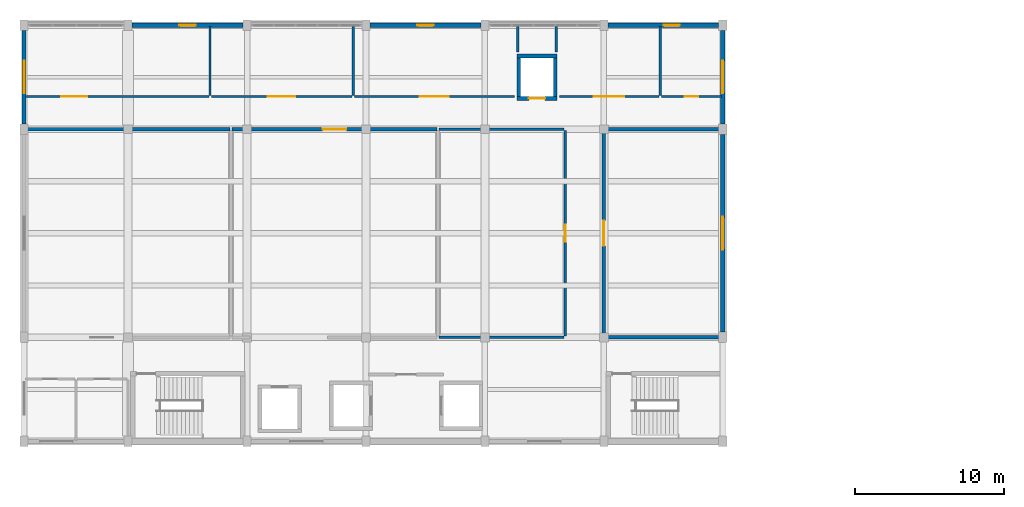
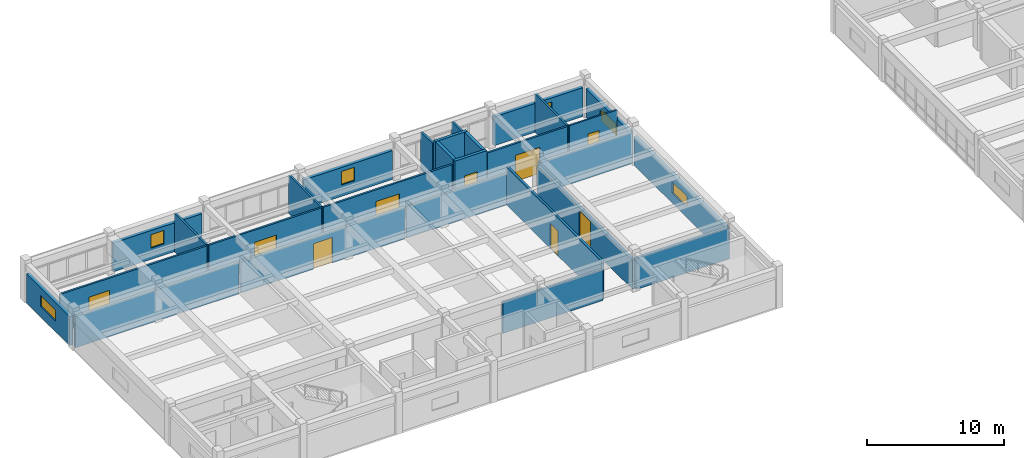
# One storey, part 11 of 17: 28 walls, 9 doors, 6 windows, 15 openings.
"""IFC4 building model written with IfcOpenShell, lengths in metres."""

from ifc_helpers import new_model, si_unit, direction, frame, frame_2d, origin, place, context, subcontext, project, spatial, rectangle, extrude, material, layer, layer_set, type_object, element, fill, save


model = new_model("IFC4")

# Units and contexts
model_context = context("Model", 3, precision=1e-05, world=origin(), true_north=direction((0.0, 1.0)))
body_context = subcontext(model_context, "Body", "Model", "MODEL_VIEW")
ifc_project = project(units=[si_unit("LENGTHUNIT", "METRE"), si_unit("AREAUNIT", "SQUARE_METRE"), si_unit("VOLUMEUNIT", "CUBIC_METRE"), si_unit("PLANEANGLEUNIT", "RADIAN"), si_unit("MASSUNIT", "GRAM", prefix="KILO")], contexts=[model_context])

# Site, building, storey
site_placement = place(None, origin())
site = spatial("IfcSite", under=ifc_project, at=site_placement, CompositionType="ELEMENT")
building_placement = place(site_placement, origin())
building = spatial("IfcBuilding", under=site, at=building_placement, Name="Naurynzar Civic Courthouse", CompositionType="ELEMENT")
storey_placement = place(building_placement, frame((0.0, 0.0, 29.550048828125)))
storey = spatial("IfcBuildingStorey", under=building, at=storey_placement, Name="L08", CompositionType="ELEMENT", Elevation=29.550048828125)

# Wall
ifc_material_1 = material(Name="Acoustic Double-Stud Gypsum Partition")
ifc_layer_1 = layer(ifc_material_1, 0.2099609375)
ifc_layer_set_1 = layer_set([ifc_layer_1], Name="WL-ACOUSTIC-210")
wall_type_1 = type_object("IfcWallType", Name="WL-ACOUSTIC-210", PredefinedType="PARTITIONING", material=ifc_layer_set_1)
wall_1_placement = place(storey_placement, frame((62.080078125, 65.0, 0.0), z_axis=(0.0, 0.0, 1.0), x_axis=(1.0, 0.0, 0.0)))
element("IfcWall", 1, at=wall_1_placement, inside=storey, type_object=wall_type_1, Name="V2 interior partition L08.779", PredefinedType="PARTITIONING", context=body_context, shape_type="SweptSolid", body=[
    extrude(rectangle(XDim=13.760009765625, YDim=0.2099609375, at=frame_2d((6.8798828125, 0.0))), origin(), (0.0, 0.0, 1.0), 2.780029296875),
])

# Wall, opening, door
ifc_material_2 = material(Name="Acoustic Double-Stud Gypsum Partition")
ifc_layer_2 = layer(ifc_material_2, 0.215087890625)
ifc_layer_set_2 = layer_set([ifc_layer_2], Name="WL-ACOUSTIC-215")
wall_type_2 = type_object("IfcWallType", Name="WL-ACOUSTIC-215", PredefinedType="PARTITIONING", material=ifc_layer_set_2)
wall_2_placement = place(storey_placement, frame((76.0, 65.0, 0.0), z_axis=(0.0, 0.0, 1.0), x_axis=(1.0, 0.0, 0.0)))
wall_2 = element("IfcWall", 2, at=wall_2_placement, inside=storey, type_object=wall_type_2, Name="V2 interior partition L08.780", PredefinedType="PARTITIONING", context=body_context, shape_type="SweptSolid", body=[
    extrude(rectangle(XDim=13.760009765625, YDim=0.215087890625, at=frame_2d((6.8798828125, 0.0))), origin(), (0.0, 0.0, 1.0), 2.780029296875),
])
opening_1_placement = place(wall_2_placement, frame((6.080078125, 0.0, 0.0)))
opening_1 = element("IfcOpeningElement", 3, at=opening_1_placement, cuts=wall_2, Name="Opening D-190", PredefinedType="OPENING", context=body_context, shape_type="SweptSolid", body=[
    extrude(rectangle(XDim=1.60009765625, YDim=2.25, at=frame_2d((0.800048828125, 1.125))), frame((0.0, 0.117431640625, 0.0), z_axis=(0.0, -1.0, 0.0), x_axis=(1.0, 0.0, 0.0)), (0.0, 0.0, 1.0), 0.235107421875),
])
ifc_material_3 = material(Name="Acoustic Oak Timber Grade A", Category="wood")
door_type_1 = type_object("IfcDoorType", Name="DR-SUITE-1600x2250", OperationType="DOUBLE_DOOR_SINGLE_SWING", PredefinedType="DOOR", material=ifc_material_3)
door_1_placement = place(opening_1_placement, origin())
door_1 = element("IfcDoor", 4, at=door_1_placement, inside=storey, type_object=door_type_1, Name="Interior door D-190 (Appellate Civil Courtroom 8B)", OperationType="DOUBLE_DOOR_SINGLE_SWING", OverallHeight=2.25, OverallWidth=1.60009765625, PredefinedType="DOOR", context=body_context, shape_type="SweptSolid", body=[
    extrude(rectangle(XDim=1.60009765625, YDim=2.25, at=frame_2d((0.800048828125, 1.125))), frame((0.0, 0.02490234375, 0.0), z_axis=(0.0, -1.0, 0.0), x_axis=(1.0, 0.0, 0.0)), (0.0, 0.0, 1.0), 0.050048828125),
])
fill(opening_1, door_1)

# Walls
ifc_material_4 = material(Name="Acoustic Double-Stud Gypsum Partition")
ifc_layer_3 = layer(ifc_material_4, 0.22998046875)
ifc_layer_set_3 = layer_set([ifc_layer_3], Name="WL-ACOUSTIC-230")
wall_type_3 = type_object("IfcWallType", Name="WL-ACOUSTIC-230", PredefinedType="PARTITIONING", material=ifc_layer_set_3)
for number, where, z_axis, x_axis, name in (
    (5, (101.080078125, 51.0, 0.0), (0.0, 0.0, 1.0), (1.0, 0.0, 0.0), "V2 interior partition L08.776"),
    (6, (101.080078125, 65.0, 0.0), (0.0, 0.0, 1.0), (1.0, 0.0, 0.0), "V2 interior partition L08.782"),
):
    element("IfcWall", number, at=place(storey_placement, frame(where, z_axis=z_axis, x_axis=x_axis)), inside=storey, type_object=wall_type_3, Name=name, PredefinedType="PARTITIONING", context=body_context, shape_type="SweptSolid", body=[
        extrude(rectangle(XDim=7.83984375, YDim=0.22998046875, at=frame_2d((3.919921875, 0.0))), origin(), (0.0, 0.0, 1.0), 2.780029296875),
    ])

# Wall, opening, door
wall_3_placement = place(storey_placement, frame((101.0, 51.080078125, 0.0), z_axis=(0.0, 0.0, 1.0), x_axis=(0.0, 1.0, 0.0)))
wall_3 = element("IfcWall", 7, at=wall_3_placement, inside=storey, type_object=wall_type_3, Name="V2 interior partition L08.798", PredefinedType="PARTITIONING", context=body_context, shape_type="SweptSolid", body=[
    extrude(rectangle(XDim=13.83984375, YDim=0.22998046875, at=frame_2d((6.919921875, 0.0))), origin(), (0.0, 0.0, 1.0), 2.579833984375),
])
opening_2_placement = place(wall_3_placement, frame((6.070068359375, 0.0, 0.0)))
opening_2 = element("IfcOpeningElement", 8, at=opening_2_placement, cuts=wall_3, Name="Opening D-192", PredefinedType="OPENING", context=body_context, shape_type="SweptSolid", body=[
    extrude(rectangle(XDim=1.699951171875, YDim=2.300048828125, at=frame_2d((0.85009765625, 1.14990234375))), frame((0.0, 0.125, 0.0), z_axis=(0.0, -1.0, 0.0), x_axis=(1.0, 0.0, 0.0)), (0.0, 0.0, 1.0), 0.25),
])
ifc_material_5 = material(Name="Acoustic Oak Timber Grade A", Category="wood")
door_type_2 = type_object("IfcDoorType", Name="DR-SUITE-1700x2300", OperationType="DOUBLE_DOOR_SINGLE_SWING", PredefinedType="DOOR", material=ifc_material_5)
door_2_placement = place(opening_2_placement, origin())
door_2 = element("IfcDoor", 9, at=door_2_placement, inside=storey, type_object=door_type_2, Name="Interior door D-192 (Civil Chamber Courtroom L08-E)", OperationType="DOUBLE_DOOR_SINGLE_SWING", OverallHeight=2.300048828125, OverallWidth=1.699951171875, PredefinedType="DOOR", context=body_context, shape_type="SweptSolid", body=[
    extrude(rectangle(XDim=1.699951171875, YDim=2.300048828125, at=frame_2d((0.85009765625, 1.14990234375))), frame((0.0, 0.02490234375, 0.0), z_axis=(0.0, -1.0, 0.0), x_axis=(1.0, 0.0, 0.0)), (0.0, 0.0, 1.0), 0.050048828125),
])
fill(opening_2, door_2)

# Wall, opening, window
ifc_material_6 = material(Name="Precast concrete C40/50", Category="concrete")
ifc_layer_4 = layer(ifc_material_6, 0.280029296875)
ifc_layer_set_4 = layer_set([ifc_layer_4], Name="WL-EXT-280")
wall_type_4 = type_object("IfcWallType", Name="WL-EXT-280", PredefinedType="SOLIDWALL", material=ifc_layer_set_4)
wall_4_placement = place(storey_placement, frame((62.0, 65.35009765625, 0.0), z_axis=(0.0, 0.0, 1.0), x_axis=(0.0, 1.0, 0.0)))
wall_4 = element("IfcWall", 10, at=wall_4_placement, inside=storey, type_object=wall_type_4, Name="V2 exterior wall west L08.3.1", PredefinedType="SOLIDWALL", context=body_context, shape_type="SweptSolid", body=[
    extrude(rectangle(XDim=6.2998046875, YDim=0.280029296875, at=frame_2d((3.14990234375, 0.0))), origin(), (0.0, 0.0, 1.0), 2.56005859375),
])
opening_3_placement = place(wall_4_placement, frame((2.070068359375, 0.0, 0.89990234375)))
opening_3 = element("IfcOpeningElement", 11, at=opening_3_placement, cuts=wall_4, Name="Opening WN-18", PredefinedType="OPENING", context=body_context, shape_type="SweptSolid", body=[
    extrude(rectangle(XDim=2.199951171875, YDim=1.0, at=frame_2d((1.10009765625, 0.5))), frame((0.0, 0.14990234375, 0.0), z_axis=(0.0, -1.0, 0.0), x_axis=(1.0, 0.0, 0.0)), (0.0, 0.0, 1.0), 0.300048828125),
])
ifc_material_7 = material(Name="Tempered Laminated Low-E Glass", Category="glass")
window_type_1 = type_object("IfcWindowType", Name="WIN-CLER-2200x1000", PartitioningType="DOUBLE_PANEL_VERTICAL", PredefinedType="WINDOW", material=ifc_material_7)
window_1_placement = place(opening_3_placement, origin())
window_1 = element("IfcWindow", 12, at=window_1_placement, inside=storey, type_object=window_type_1, Name="V2 window 116 L08", OverallHeight=1.0, OverallWidth=2.199951171875, PartitioningType="SINGLE_PANEL", PredefinedType="WINDOW", context=body_context, shape_type="SweptSolid", body=[
    extrude(rectangle(XDim=2.199951171875, YDim=1.0, at=frame_2d((1.10009765625, 0.5))), frame((0.0, 0.030029296875, 0.0), z_axis=(0.0, -1.0, 0.0), x_axis=(1.0, 0.0, 0.0)), (0.0, 0.0, 1.0), 0.06005859375),
])
fill(opening_3, window_1)

wall_5_placement = place(storey_placement, frame((69.27490234375, 72.0, 0.0), z_axis=(0.0, 0.0, 1.0), x_axis=(1.0, 0.0, 0.0)))
wall_5 = element("IfcWall", 13, at=wall_5_placement, inside=storey, type_object=wall_type_4, Name="V2 exterior wall north L08.2.1", PredefinedType="SOLIDWALL", context=body_context, shape_type="SweptSolid", body=[
    extrude(rectangle(XDim=7.4501953125, YDim=0.280029296875, at=frame_2d((3.72509765625, 0.0))), origin(), (0.0, 0.0, 1.0), 2.56005859375),
])
opening_4_placement = place(wall_5_placement, frame((3.175048828125, 0.0, 1.0)))
opening_4 = element("IfcOpeningElement", 14, at=opening_4_placement, cuts=wall_5, Name="Opening WN-15", PredefinedType="OPENING", context=body_context, shape_type="SweptSolid", body=[
    extrude(rectangle(XDim=1.10009765625, YDim=1.199951171875, at=frame_2d((0.550048828125, 0.60009765625))), frame((0.0, 0.14990234375, 0.0), z_axis=(0.0, -1.0, 0.0), x_axis=(1.0, 0.0, 0.0)), (0.0, 0.0, 1.0), 0.300048828125),
])
ifc_material_8 = material(Name="Tempered Laminated Low-E Glass", Category="glass")
window_type_2 = type_object("IfcWindowType", Name="WIN-SEC-1100x1200", PartitioningType="SINGLE_PANEL", PredefinedType="WINDOW", material=ifc_material_8)
window_2_placement = place(opening_4_placement, origin())
window_2 = element("IfcWindow", 15, at=window_2_placement, inside=storey, type_object=window_type_2, Name="V2 window 117 L08", OverallHeight=1.199951171875, OverallWidth=1.10009765625, PartitioningType="SINGLE_PANEL", PredefinedType="WINDOW", context=body_context, shape_type="SweptSolid", body=[
    extrude(rectangle(XDim=1.10009765625, YDim=1.199951171875, at=frame_2d((0.550048828125, 0.60009765625))), frame((0.0, 0.030029296875, 0.0), z_axis=(0.0, -1.0, 0.0), x_axis=(1.0, 0.0, 0.0)), (0.0, 0.0, 1.0), 0.06005859375),
])
fill(opening_4, window_2)

wall_6_placement = place(storey_placement, frame((85.27490234375, 72.0, 0.0), z_axis=(0.0, 0.0, 1.0), x_axis=(1.0, 0.0, 0.0)))
wall_6 = element("IfcWall", 16, at=wall_6_placement, inside=storey, type_object=wall_type_4, Name="V2 exterior wall north L08.4.1", PredefinedType="SOLIDWALL", context=body_context, shape_type="SweptSolid", body=[
    extrude(rectangle(XDim=7.4501953125, YDim=0.280029296875, at=frame_2d((3.72509765625, 0.0))), origin(), (0.0, 0.0, 1.0), 2.56005859375),
])
opening_5_placement = place(wall_6_placement, frame((3.175048828125, 0.0, 1.0)))
opening_5 = element("IfcOpeningElement", 17, at=opening_5_placement, cuts=wall_6, Name="Opening WN-15", PredefinedType="OPENING", context=body_context, shape_type="SweptSolid", body=[
    extrude(rectangle(XDim=1.10009765625, YDim=1.199951171875, at=frame_2d((0.550048828125, 0.60009765625))), frame((0.0, 0.14990234375, 0.0), z_axis=(0.0, -1.0, 0.0), x_axis=(1.0, 0.0, 0.0)), (0.0, 0.0, 1.0), 0.300048828125),
])
window_3_placement = place(opening_5_placement, origin())
window_3 = element("IfcWindow", 18, at=window_3_placement, inside=storey, type_object=window_type_2, Name="V2 window 118 L08", OverallHeight=1.199951171875, OverallWidth=1.10009765625, PartitioningType="SINGLE_PANEL", PredefinedType="WINDOW", context=body_context, shape_type="SweptSolid", body=[
    extrude(rectangle(XDim=1.10009765625, YDim=1.199951171875, at=frame_2d((0.550048828125, 0.60009765625))), frame((0.0, 0.030029296875, 0.0), z_axis=(0.0, -1.0, 0.0), x_axis=(1.0, 0.0, 0.0)), (0.0, 0.0, 1.0), 0.06005859375),
])
fill(opening_5, window_3)

wall_7_placement = place(storey_placement, frame((101.27490234375, 72.0, 0.0), z_axis=(0.0, 0.0, 1.0), x_axis=(1.0, 0.0, 0.0)))
wall_7 = element("IfcWall", 19, at=wall_7_placement, inside=storey, type_object=wall_type_4, Name="V2 exterior wall north L08.6.1", PredefinedType="SOLIDWALL", context=body_context, shape_type="SweptSolid", body=[
    extrude(rectangle(XDim=7.4501953125, YDim=0.280029296875, at=frame_2d((3.72509765625, 0.0))), origin(), (0.0, 0.0, 1.0), 2.56005859375),
])
opening_6_placement = place(wall_7_placement, frame((3.7451171875, 0.0, 1.0)))
opening_6 = element("IfcOpeningElement", 20, at=opening_6_placement, cuts=wall_7, Name="Opening WN-15", PredefinedType="OPENING", context=body_context, shape_type="SweptSolid", body=[
    extrude(rectangle(XDim=1.10009765625, YDim=1.199951171875, at=frame_2d((0.550048828125, 0.60009765625))), frame((0.0, 0.14990234375, 0.0), z_axis=(0.0, -1.0, 0.0), x_axis=(1.0, 0.0, 0.0)), (0.0, 0.0, 1.0), 0.300048828125),
])
window_4_placement = place(opening_6_placement, origin())
window_4 = element("IfcWindow", 21, at=window_4_placement, inside=storey, type_object=window_type_2, Name="V2 window 119 L08", OverallHeight=1.199951171875, OverallWidth=1.10009765625, PartitioningType="SINGLE_PANEL", PredefinedType="WINDOW", context=body_context, shape_type="SweptSolid", body=[
    extrude(rectangle(XDim=1.10009765625, YDim=1.199951171875, at=frame_2d((0.550048828125, 0.60009765625))), frame((0.0, 0.030029296875, 0.0), z_axis=(0.0, -1.0, 0.0), x_axis=(1.0, 0.0, 0.0)), (0.0, 0.0, 1.0), 0.06005859375),
])
fill(opening_6, window_4)

wall_8_placement = place(storey_placement, frame((109.0, 71.64990234375, 0.0), z_axis=(0.0, 0.0, 1.0), x_axis=(0.0, -1.0, 0.0)))
wall_8 = element("IfcWall", 22, at=wall_8_placement, inside=storey, type_object=wall_type_4, Name="V2 exterior wall east L08.1.1", PredefinedType="SOLIDWALL", context=body_context, shape_type="SweptSolid", body=[
    extrude(rectangle(XDim=6.2998046875, YDim=0.280029296875, at=frame_2d((3.14990234375, 0.0))), origin(), (0.0, 0.0, 1.0), 2.56005859375),
])
opening_7_placement = place(wall_8_placement, frame((2.030029296875, 0.0, 0.89990234375)))
opening_7 = element("IfcOpeningElement", 23, at=opening_7_placement, cuts=wall_8, Name="Opening WN-18", PredefinedType="OPENING", context=body_context, shape_type="SweptSolid", body=[
    extrude(rectangle(XDim=2.199951171875, YDim=1.0, at=frame_2d((1.10009765625, 0.5))), frame((0.0, 0.14990234375, 0.0), z_axis=(0.0, -1.0, 0.0), x_axis=(1.0, 0.0, 0.0)), (0.0, 0.0, 1.0), 0.300048828125),
])
window_5_placement = place(opening_7_placement, origin())
window_5 = element("IfcWindow", 24, at=window_5_placement, inside=storey, type_object=window_type_1, Name="V2 window 120 L08", OverallHeight=1.0, OverallWidth=2.199951171875, PartitioningType="SINGLE_PANEL", PredefinedType="WINDOW", context=body_context, shape_type="SweptSolid", body=[
    extrude(rectangle(XDim=2.199951171875, YDim=1.0, at=frame_2d((1.10009765625, 0.5))), frame((0.0, 0.030029296875, 0.0), z_axis=(0.0, -1.0, 0.0), x_axis=(1.0, 0.0, 0.0)), (0.0, 0.0, 1.0), 0.06005859375),
])
fill(opening_7, window_5)

wall_9_placement = place(storey_placement, frame((109.0, 64.64990234375, 0.0), z_axis=(0.0, 0.0, 1.0), x_axis=(0.0, -1.0, 0.0)))
wall_9 = element("IfcWall", 25, at=wall_9_placement, inside=storey, type_object=wall_type_4, Name="V2 exterior wall east L08.2.1", PredefinedType="SOLIDWALL", context=body_context, shape_type="SweptSolid", body=[
    extrude(rectangle(XDim=13.2998046875, YDim=0.280029296875, at=frame_2d((6.64990234375, 0.0))), origin(), (0.0, 0.0, 1.0), 2.56005859375),
])
opening_8_placement = place(wall_9_placement, frame((5.550048828125, 0.0, 0.89990234375)))
opening_8 = element("IfcOpeningElement", 26, at=opening_8_placement, cuts=wall_9, Name="Opening WN-18", PredefinedType="OPENING", context=body_context, shape_type="SweptSolid", body=[
    extrude(rectangle(XDim=2.199951171875, YDim=1.0, at=frame_2d((1.10009765625, 0.5))), frame((0.0, 0.14990234375, 0.0), z_axis=(0.0, -1.0, 0.0), x_axis=(1.0, 0.0, 0.0)), (0.0, 0.0, 1.0), 0.300048828125),
])
window_6_placement = place(opening_8_placement, origin())
window_6 = element("IfcWindow", 27, at=window_6_placement, inside=storey, type_object=window_type_1, Name="V2 window 121 L08", OverallHeight=1.0, OverallWidth=2.199951171875, PartitioningType="SINGLE_PANEL", PredefinedType="WINDOW", context=body_context, shape_type="SweptSolid", body=[
    extrude(rectangle(XDim=2.199951171875, YDim=1.0, at=frame_2d((1.10009765625, 0.5))), frame((0.0, 0.030029296875, 0.0), z_axis=(0.0, -1.0, 0.0), x_axis=(1.0, 0.0, 0.0)), (0.0, 0.0, 1.0), 0.06005859375),
])
fill(opening_8, window_6)

# Wall, opening, door
ifc_material_9 = material(Name="Insulated Metal-Stud Gypsum Partition")
ifc_layer_5 = layer(ifc_material_9, 0.159912109375)
ifc_layer_set_5 = layer_set([ifc_layer_5], Name="WL-PART-CHAMB-160")
wall_type_5 = type_object("IfcWallType", Name="WL-PART-CHAMB-160", PredefinedType="PARTITIONING", material=ifc_layer_set_5)
wall_10_placement = place(storey_placement, frame((62.080078125, 67.199951171875, 0.0), z_axis=(0.0, 0.0, 1.0), x_axis=(1.0, 0.0, 0.0)))
wall_10 = element("IfcWall", 28, at=wall_10_placement, inside=storey, type_object=wall_type_5, Name="V2 interior partition L08.784", PredefinedType="PARTITIONING", context=body_context, shape_type="SweptSolid", body=[
    extrude(rectangle(XDim=12.349853515625, YDim=0.159912109375, at=frame_2d((6.1748046875, 0.0))), origin(), (0.0, 0.0, 1.0), 3.389892578125),
])
opening_9_placement = place(wall_10_placement, frame((2.409912109375, 0.0, 0.0)))
opening_9 = element("IfcOpeningElement", 29, at=opening_9_placement, cuts=wall_10, Name="Opening D-193", PredefinedType="OPENING", context=body_context, shape_type="SweptSolid", body=[
    extrude(rectangle(XDim=1.75, YDim=2.300048828125, at=frame_2d((0.875, 1.14990234375))), frame((0.0, 0.08984375, 0.0), z_axis=(0.0, -1.0, 0.0), x_axis=(1.0, 0.0, 0.0)), (0.0, 0.0, 1.0), 0.179931640625),
])
ifc_material_10 = material(Name="Acoustic Oak Timber Grade A", Category="wood")
door_type_3 = type_object("IfcDoorType", Name="DR-SUITE-1750x2300", OperationType="DOUBLE_DOOR_SINGLE_SWING", PredefinedType="DOOR", material=ifc_material_10)
door_3_placement = place(opening_9_placement, origin())
door_3 = element("IfcDoor", 30, at=door_3_placement, inside=storey, type_object=door_type_3, Name="Interior door D-193 (Judges' Chambers L08-1)", OperationType="DOUBLE_DOOR_SINGLE_SWING", OverallHeight=2.300048828125, OverallWidth=1.75, PredefinedType="DOOR", context=body_context, shape_type="SweptSolid", body=[
    extrude(rectangle(XDim=1.75, YDim=2.300048828125, at=frame_2d((0.875, 1.14990234375))), frame((0.0, 0.02490234375, 0.0), z_axis=(0.0, -1.0, 0.0), x_axis=(1.0, 0.0, 0.0)), (0.0, 0.0, 1.0), 0.050048828125),
])
fill(opening_9, door_3)

wall_11_placement = place(storey_placement, frame((74.590087890625, 67.199951171875, 0.0), z_axis=(0.0, 0.0, 1.0), x_axis=(1.0, 0.0, 0.0)))
wall_11 = element("IfcWall", 31, at=wall_11_placement, inside=storey, type_object=wall_type_5, Name="V2 interior partition L08.785", PredefinedType="PARTITIONING", context=body_context, shape_type="SweptSolid", body=[
    extrude(rectangle(XDim=9.4599609375, YDim=0.159912109375, at=frame_2d((4.72998046875, 0.0))), origin(), (0.0, 0.0, 1.0), 3.389892578125),
])
opening_10_placement = place(wall_11_placement, frame((3.804931640625, 0.0, 0.0)))
opening_10 = element("IfcOpeningElement", 32, at=opening_10_placement, cuts=wall_11, Name="Opening D-194", PredefinedType="OPENING", context=body_context, shape_type="SweptSolid", body=[
    extrude(rectangle(XDim=1.85009765625, YDim=2.300048828125, at=frame_2d((0.925048828125, 1.14990234375))), frame((0.0, 0.08984375, 0.0), z_axis=(0.0, -1.0, 0.0), x_axis=(1.0, 0.0, 0.0)), (0.0, 0.0, 1.0), 0.179931640625),
])
ifc_material_11 = material(Name="Acoustic Oak Timber Grade A", Category="wood")
door_type_4 = type_object("IfcDoorType", Name="DR-SUITE-1850x2300", OperationType="DOUBLE_DOOR_SINGLE_SWING", PredefinedType="DOOR", material=ifc_material_11)
door_4_placement = place(opening_10_placement, origin())
door_4 = element("IfcDoor", 33, at=door_4_placement, inside=storey, type_object=door_type_4, Name="Interior door D-194 (Judges' Chambers L08-2)", OperationType="DOUBLE_DOOR_SINGLE_SWING", OverallHeight=2.300048828125, OverallWidth=1.85009765625, PredefinedType="DOOR", context=body_context, shape_type="SweptSolid", body=[
    extrude(rectangle(XDim=1.85009765625, YDim=2.300048828125, at=frame_2d((0.925048828125, 1.14990234375))), frame((0.0, 0.02490234375, 0.0), z_axis=(0.0, -1.0, 0.0), x_axis=(1.0, 0.0, 0.0)), (0.0, 0.0, 1.0), 0.050048828125),
])
fill(opening_10, door_4)

wall_12_placement = place(storey_placement, frame((84.2099609375, 67.199951171875, 0.0), z_axis=(0.0, 0.0, 1.0), x_axis=(1.0, 0.0, 0.0)))
wall_12 = element("IfcWall", 34, at=wall_12_placement, inside=storey, type_object=wall_type_5, Name="V2 interior partition L08.786", PredefinedType="PARTITIONING", context=body_context, shape_type="SweptSolid", body=[
    extrude(rectangle(XDim=10.7900390625, YDim=0.159912109375, at=frame_2d((5.39501953125, 0.0))), origin(), (0.0, 0.0, 1.0), 3.389892578125),
])
opening_11_placement = place(wall_12_placement, frame((4.419921875, 0.0, 0.0)))
opening_11 = element("IfcOpeningElement", 35, at=opening_11_placement, cuts=wall_12, Name="Opening D-195", PredefinedType="OPENING", context=body_context, shape_type="SweptSolid", body=[
    extrude(rectangle(XDim=1.949951171875, YDim=2.35009765625, at=frame_2d((0.97509765625, 1.175048828125))), frame((0.0, 0.08984375, 0.0), z_axis=(0.0, -1.0, 0.0), x_axis=(1.0, 0.0, 0.0)), (0.0, 0.0, 1.0), 0.179931640625),
])
ifc_material_12 = material(Name="Acoustic Oak Timber Grade A", Category="wood")
door_type_5 = type_object("IfcDoorType", Name="DR-SUITE-1950x2350", OperationType="DOUBLE_DOOR_SINGLE_SWING", PredefinedType="DOOR", material=ifc_material_12)
door_5_placement = place(opening_11_placement, origin())
door_5 = element("IfcDoor", 36, at=door_5_placement, inside=storey, type_object=door_type_5, Name="Interior door D-195 (Judges' Chambers L08-3)", OperationType="DOUBLE_DOOR_SINGLE_SWING", OverallHeight=2.35009765625, OverallWidth=1.949951171875, PredefinedType="DOOR", context=body_context, shape_type="SweptSolid", body=[
    extrude(rectangle(XDim=1.949951171875, YDim=2.35009765625, at=frame_2d((0.97509765625, 1.175048828125))), frame((0.0, 0.02490234375, 0.0), z_axis=(0.0, -1.0, 0.0), x_axis=(1.0, 0.0, 0.0)), (0.0, 0.0, 1.0), 0.050048828125),
])
fill(opening_11, door_5)

wall_13_placement = place(storey_placement, frame((98.0, 67.199951171875, 0.0), z_axis=(0.0, 0.0, 1.0), x_axis=(1.0, 0.0, 0.0)))
wall_13 = element("IfcWall", 37, at=wall_13_placement, inside=storey, type_object=wall_type_5, Name="V2 interior partition L08.787", PredefinedType="PARTITIONING", context=body_context, shape_type="SweptSolid", body=[
    extrude(rectangle(XDim=6.719970703125, YDim=0.159912109375, at=frame_2d((3.35986328125, 0.0))), origin(), (0.0, 0.0, 1.0), 3.389892578125),
])
opening_12_placement = place(wall_13_placement, frame((2.3349609375, 0.0, 0.0)))
opening_12 = element("IfcOpeningElement", 38, at=opening_12_placement, cuts=wall_13, Name="Opening D-196", PredefinedType="OPENING", context=body_context, shape_type="SweptSolid", body=[
    extrude(rectangle(XDim=2.050048828125, YDim=2.35009765625, at=frame_2d((1.02490234375, 1.175048828125))), frame((0.0, 0.08984375, 0.0), z_axis=(0.0, -1.0, 0.0), x_axis=(1.0, 0.0, 0.0)), (0.0, 0.0, 1.0), 0.179931640625),
])
ifc_material_13 = material(Name="Acoustic Oak Timber Grade A", Category="wood")
door_type_6 = type_object("IfcDoorType", Name="DR-SUITE-2050x2350", OperationType="DOUBLE_DOOR_SINGLE_SWING", PredefinedType="DOOR", material=ifc_material_13)
door_6_placement = place(opening_12_placement, origin())
door_6 = element("IfcDoor", 39, at=door_6_placement, inside=storey, type_object=door_type_6, Name="Interior door D-196 (Senior Judges' Chambers L08-E)", OperationType="DOUBLE_DOOR_SINGLE_SWING", OverallHeight=2.35009765625, OverallWidth=2.050048828125, PredefinedType="DOOR", context=body_context, shape_type="SweptSolid", body=[
    extrude(rectangle(XDim=2.050048828125, YDim=2.35009765625, at=frame_2d((1.02490234375, 1.175048828125))), frame((0.0, 0.02490234375, 0.0), z_axis=(0.0, -1.0, 0.0), x_axis=(1.0, 0.0, 0.0)), (0.0, 0.0, 1.0), 0.050048828125),
])
fill(opening_12, door_6)

# Walls
for number, where, z_axis, x_axis, name in (
    (40, (74.510009765625, 67.280029296875, 0.0), (0.0, 0.0, 1.0), (0.0, 1.0, 0.0), "V2 interior partition L08.791"),
    (41, (84.1298828125, 67.280029296875, 0.0), (0.0, 0.0, 1.0), (0.0, 1.0, 0.0), "V2 interior partition L08.793"),
):
    element("IfcWall", number, at=place(storey_placement, frame(where, z_axis=z_axis, x_axis=x_axis)), inside=storey, type_object=wall_type_5, Name=name, PredefinedType="PARTITIONING", context=body_context, shape_type="SweptSolid", body=[
        extrude(rectangle(XDim=4.639892578125, YDim=0.159912109375, at=frame_2d((2.31982421875, 0.0))), origin(), (0.0, 0.0, 1.0), 3.389892578125),
    ])
for number, where, z_axis, x_axis, name in (
    (42, (95.199951171875, 70.199951171875, 0.0), (0.0, 0.0, 1.0), (0.0, 1.0, 0.0), "V2 interior partition L08.795"),
    (43, (97.800048828125, 70.199951171875, 0.0), (0.0, 0.0, 1.0), (0.0, 1.0, 0.0), "V2 interior partition L08.796"),
):
    element("IfcWall", number, at=place(storey_placement, frame(where, z_axis=z_axis, x_axis=x_axis)), inside=storey, type_object=wall_type_5, Name=name, PredefinedType="PARTITIONING", context=body_context, shape_type="SweptSolid", body=[
        extrude(rectangle(XDim=1.719970703125, YDim=0.159912109375, at=frame_2d((0.85986328125, 0.0))), origin(), (0.0, 0.0, 1.0), 3.389892578125),
    ])
wall_14_placement = place(storey_placement, frame((104.800048828125, 67.280029296875, 0.0), z_axis=(0.0, 0.0, 1.0), x_axis=(0.0, 1.0, 0.0)))
element("IfcWall", 44, at=wall_14_placement, inside=storey, type_object=wall_type_5, Name="V2 interior partition L08.799", PredefinedType="PARTITIONING", context=body_context, shape_type="SweptSolid", body=[
    extrude(rectangle(XDim=4.639892578125, YDim=0.159912109375, at=frame_2d((2.31982421875, 0.0))), origin(), (0.0, 0.0, 1.0), 3.389892578125),
])
ifc_material_14 = material(Name="Acoustic Double-Stud Gypsum Partition")
ifc_layer_6 = layer(ifc_material_14, 0.179931640625)
ifc_layer_set_6 = layer_set([ifc_layer_6], Name="WL-PART-JURY-180")
wall_type_6 = type_object("IfcWallType", Name="WL-PART-JURY-180", PredefinedType="PARTITIONING", material=ifc_layer_set_6)
for number, where, z_axis, x_axis, name in (
    (45, (89.919921875, 51.0, 0.0), (0.0, 0.0, 1.0), (1.0, 0.0, 0.0), "V2 interior partition L08.775"),
    (46, (89.919921875, 65.0, 0.0), (0.0, 0.0, 1.0), (1.0, 0.0, 0.0), "V2 interior partition L08.781"),
):
    element("IfcWall", number, at=place(storey_placement, frame(where, z_axis=z_axis, x_axis=x_axis)), inside=storey, type_object=wall_type_6, Name=name, PredefinedType="PARTITIONING", context=body_context, shape_type="SweptSolid", body=[
        extrude(rectangle(XDim=8.400146484375, YDim=0.179931640625, at=frame_2d((4.2001953125, 0.0))), origin(), (0.0, 0.0, 1.0), 2.780029296875),
    ])

# Wall, opening, door
wall_15_placement = place(storey_placement, frame((98.39990234375, 51.080078125, 0.0), z_axis=(0.0, 0.0, 1.0), x_axis=(0.0, 1.0, 0.0)))
wall_15 = element("IfcWall", 47, at=wall_15_placement, inside=storey, type_object=wall_type_6, Name="V2 interior partition L08.797", PredefinedType="PARTITIONING", context=body_context, shape_type="SweptSolid", body=[
    extrude(rectangle(XDim=13.83984375, YDim=0.179931640625, at=frame_2d((6.919921875, 0.0))), origin(), (0.0, 0.0, 1.0), 3.389892578125),
])
opening_13_placement = place(wall_15_placement, frame((6.344970703125, 0.0, 0.0)))
opening_13 = element("IfcOpeningElement", 48, at=opening_13_placement, cuts=wall_15, Name="Opening D-191", PredefinedType="OPENING", context=body_context, shape_type="SweptSolid", body=[
    extrude(rectangle(XDim=1.14990234375, YDim=2.199951171875, at=frame_2d((0.574951171875, 1.10009765625))), frame((0.0, 0.099853515625, 0.0), z_axis=(0.0, -1.0, 0.0), x_axis=(1.0, 0.0, 0.0)), (0.0, 0.0, 1.0), 0.199951171875),
])
ifc_material_15 = material(Name="Acoustic Oak Timber Grade A", Category="wood")
door_type_7 = type_object("IfcDoorType", Name="DR-JURY-1150x2200", OperationType="NOTDEFINED", PredefinedType="DOOR", material=ifc_material_15)
door_7_placement = place(opening_13_placement, origin())
door_7 = element("IfcDoor", 49, at=door_7_placement, inside=storey, type_object=door_type_7, Name="Interior door D-191 (Jury Deliberation Room 8A)", OperationType="SINGLE_SWING_LEFT", OverallHeight=2.199951171875, OverallWidth=1.14990234375, PredefinedType="DOOR", context=body_context, shape_type="SweptSolid", body=[
    extrude(rectangle(XDim=1.14990234375, YDim=2.199951171875, at=frame_2d((0.574951171875, 1.10009765625))), frame((0.0, 0.02490234375, 0.0), z_axis=(0.0, -1.0, 0.0), x_axis=(1.0, 0.0, 0.0)), (0.0, 0.0, 1.0), 0.050048828125),
])
fill(opening_13, door_7)

ifc_material_16 = material(Name="Moisture-Resistant Plumbing Partition")
ifc_layer_7 = layer(ifc_material_16, 0.139892578125)
ifc_layer_set_7 = layer_set([ifc_layer_7], Name="WL-PART-WC-140")
wall_type_7 = type_object("IfcWallType", Name="WL-PART-WC-140", PredefinedType="PLUMBINGWALL", material=ifc_layer_set_7)
wall_16_placement = place(storey_placement, frame((104.8798828125, 67.199951171875, 0.0), z_axis=(0.0, 0.0, 1.0), x_axis=(1.0, 0.0, 0.0)))
wall_16 = element("IfcWall", 50, at=wall_16_placement, inside=storey, type_object=wall_type_7, Name="V2 interior partition L08.788", PredefinedType="PLUMBINGWALL", context=body_context, shape_type="SweptSolid", body=[
    extrude(rectangle(XDim=4.0400390625, YDim=0.139892578125, at=frame_2d((2.02001953125, 0.0))), origin(), (0.0, 0.0, 1.0), 3.389892578125),
])
opening_14_placement = place(wall_16_placement, frame((1.56005859375, 0.0, 0.0)))
opening_14 = element("IfcOpeningElement", 51, at=opening_14_placement, cuts=wall_16, Name="Opening D-197", PredefinedType="OPENING", context=body_context, shape_type="SweptSolid", body=[
    extrude(rectangle(XDim=0.919921875, YDim=2.10009765625, at=frame_2d((0.4599609375, 1.050048828125))), frame((0.0, 0.079833984375, 0.0), z_axis=(0.0, -1.0, 0.0), x_axis=(1.0, 0.0, 0.0)), (0.0, 0.0, 1.0), 0.159912109375),
])
ifc_material_17 = material(Name="Acoustic Oak Timber Grade A", Category="wood")
door_type_8 = type_object("IfcDoorType", Name="DR-WC-STD-920x2100", OperationType="NOTDEFINED", PredefinedType="DOOR", material=ifc_material_17)
door_8_placement = place(opening_14_placement, origin())
door_8 = element("IfcDoor", 52, at=door_8_placement, inside=storey, type_object=door_type_8, Name="Interior door D-197 (Judicial Staff WC V2)", OperationType="SINGLE_SWING_LEFT", OverallHeight=2.10009765625, OverallWidth=0.919921875, PredefinedType="DOOR", context=body_context, shape_type="SweptSolid", body=[
    extrude(rectangle(XDim=0.919921875, YDim=2.10009765625, at=frame_2d((0.4599609375, 1.050048828125))), frame((0.0, 0.02490234375, 0.0), z_axis=(0.0, -1.0, 0.0), x_axis=(1.0, 0.0, 0.0)), (0.0, 0.0, 1.0), 0.050048828125),
])
fill(opening_14, door_8)

ifc_material_18 = material(Name="Concrete C40/50", Category="concrete")
ifc_layer_8 = layer(ifc_material_18, 0.25)
ifc_layer_set_8 = layer_set([ifc_layer_8], Name="WL-SHAFT-250")
wall_type_8 = type_object("IfcWallType", Name="WL-SHAFT-250", PredefinedType="SHEAR", material=ifc_layer_set_8)
wall_17_placement = place(storey_placement, frame((95.14990234375, 67.074951171875, 0.0), z_axis=(0.0, 0.0, 1.0), x_axis=(1.0, 0.0, 0.0)))
wall_17 = element("IfcWall", 53, at=wall_17_placement, inside=storey, type_object=wall_type_8, Name="Lift LJ-02 shaft wall south L08", PredefinedType="SHEAR", context=body_context, shape_type="SweptSolid", body=[
    extrude(rectangle(XDim=2.7001953125, YDim=0.25, at=frame_2d((1.35009765625, 0.0))), origin(), (0.0, 0.0, 1.0), 3.75),
])
opening_15_placement = place(wall_17_placement, frame((0.800048828125, 0.0, 0.0)))
opening_15 = element("IfcOpeningElement", 54, at=opening_15_placement, cuts=wall_17, Name="Opening LD-058", PredefinedType="OPENING", context=body_context, shape_type="SweptSolid", body=[
    extrude(rectangle(XDim=1.10009765625, YDim=2.14990234375, at=frame_2d((0.550048828125, 1.074951171875))), frame((0.0, 0.135009765625, 0.0), z_axis=(0.0, -1.0, 0.0), x_axis=(1.0, 0.0, 0.0)), (0.0, 0.0, 1.0), 0.27001953125),
])
ifc_material_19 = material(Name="Brushed Stainless Steel 304", Category="steel")
door_type_9 = type_object("IfcDoorType", Name="DR-LIFT-SLIDE-1100x2150", OperationType="DOUBLE_DOOR_SLIDING", PredefinedType="DOOR", material=ifc_material_19)
door_9_placement = place(opening_15_placement, origin())
door_9 = element("IfcDoor", 55, at=door_9_placement, inside=storey, type_object=door_type_9, Name="Lift LJ-02 sliding landing door L08", OperationType="DOUBLE_DOOR_SLIDING", OverallHeight=2.14990234375, OverallWidth=1.10009765625, PredefinedType="DOOR", context=body_context, shape_type="SweptSolid", body=[
    extrude(rectangle(XDim=1.10009765625, YDim=2.14990234375, at=frame_2d((0.550048828125, 1.074951171875))), frame((0.0, 0.02490234375, 0.0), z_axis=(0.0, -1.0, 0.0), x_axis=(1.0, 0.0, 0.0)), (0.0, 0.0, 1.0), 0.050048828125),
])
fill(opening_15, door_9)

# Walls
wall_18_placement = place(storey_placement, frame((97.85009765625, 69.925048828125, 0.0), z_axis=(0.0, 0.0, 1.0), x_axis=(-1.0, 0.0, 0.0)))
element("IfcWall", 56, at=wall_18_placement, inside=storey, type_object=wall_type_8, Name="Lift LJ-02 shaft wall north L08", PredefinedType="SHEAR", context=body_context, shape_type="SweptSolid", body=[
    extrude(rectangle(XDim=2.7001953125, YDim=0.25, at=frame_2d((1.35009765625, 0.0))), origin(), (0.0, 0.0, 1.0), 3.75),
])
for number, where, z_axis, x_axis, name in (
    (57, (95.27490234375, 69.794921875, 0.0), (0.0, 0.0, 1.0), (0.0, -1.0, 0.0), "Lift LJ-02 shaft wall west L08"),
    (58, (97.72509765625, 67.205078125, 0.0), (0.0, 0.0, 1.0), (0.0, 1.0, 0.0), "Lift LJ-02 shaft wall east L08"),
):
    element("IfcWall", number, at=place(storey_placement, frame(where, z_axis=z_axis, x_axis=x_axis)), inside=storey, type_object=wall_type_8, Name=name, PredefinedType="SHEAR", context=body_context, shape_type="SweptSolid", body=[
        extrude(rectangle(XDim=2.58984375, YDim=0.25, at=frame_2d((1.294921875, 0.0))), origin(), (0.0, 0.0, 1.0), 3.75),
    ])

save(model, "model.ifc")
